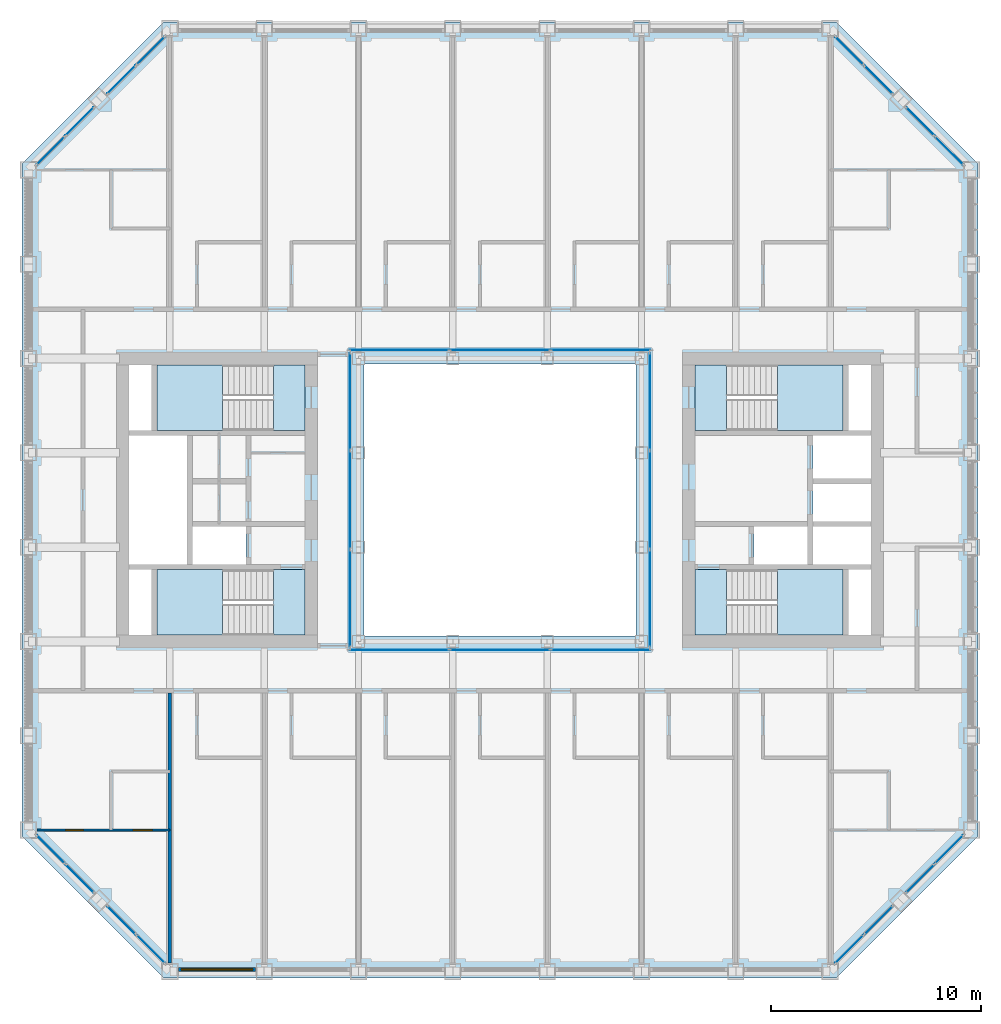
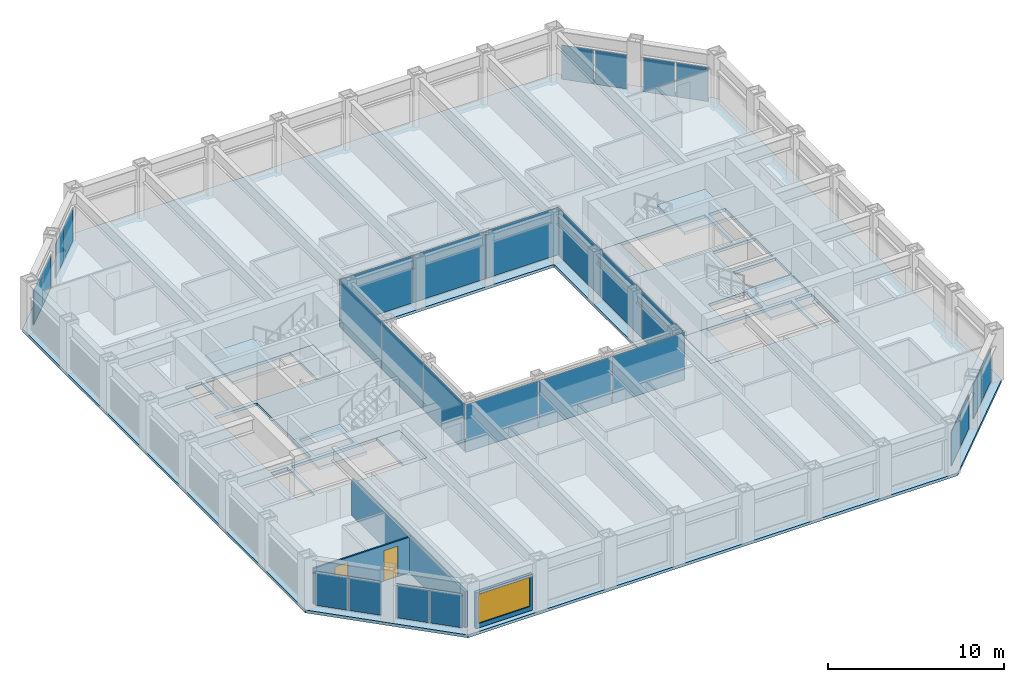
# One storey, part 9 of 18: 28 plates, 9 slabs, 3 walls, 2 doors, 1 window, 3 openings, 16 elements without a shape of their own.
"""IFC4 building model written with IfcOpenShell, lengths in metres."""

import ifcopenshell
import ifcopenshell.guid

model = None  # the IFC model being written
_history = None  # IfcOwnerHistory: only IFC2X3 demands one
_inside = {}  # id of a spatial element -> (the spatial element, [elements in it])
_under = {}  # id of a project, library or spatial element -> (it, [spatial elements below it])
_declared = {}  # id of a project -> (the project, [libraries it declares])
_typed = {}  # id of a type object -> (the type object, [elements of that type])
_made_of = {}  # id of a material, layer set ... -> (it, [elements and type objects made of it])


def new_model(schema):
    """Start an empty IFC model of exactly this schema.

    Asked for "IFC4X3", IfcOpenShell would pick the latest addendum, in which some entities
    have other attributes; the version numbers below select the first issue.
    IFC2X3 requires an IfcOwnerHistory on every rooted entity: one is made here for all.
    """
    global model, _history
    if schema == "IFC4X3":
        model = ifcopenshell.file(schema_version=(4, 3, 0, 0))
    else:
        model = ifcopenshell.file(schema=schema)
    _inside.clear()
    _under.clear()
    _declared.clear()
    _typed.clear()
    _made_of.clear()
    _history = None
    if model.schema == "IFC2X3":
        org = make("IfcOrganization", Name="unknown")
        user = make(
            "IfcPersonAndOrganization",
            ThePerson=make("IfcPerson", FamilyName="unknown"),
            TheOrganization=org,
        )
        app = make(
            "IfcApplication",
            ApplicationDeveloper=org,
            Version="unknown",
            ApplicationFullName="unknown",
            ApplicationIdentifier="unknown",
        )
        _history = make(
            "IfcOwnerHistory",
            OwningUser=user,
            OwningApplication=app,
            ChangeAction="ADDED",
            CreationDate=0,
        )
    return model


def make(cls, **values):
    """One entity of the class cls with the attributes given. An attribute that is None is left unset."""
    return model.create_entity(
        cls, **{name: value for name, value in values.items() if value is not None}
    )


def rooted(cls, **values):
    """An entity with a GlobalId (a new one), such as an element, a storey or a relation."""
    return make(cls, GlobalId=ifcopenshell.guid.new(), OwnerHistory=_history, **values)


def si_unit(unit_type, name, prefix=None):
    """IfcSIUnit, for example si_unit("LENGTHUNIT", "METRE", prefix="MILLI")."""
    return make("IfcSIUnit", UnitType=unit_type, Prefix=prefix, Name=name)


def assignment(units):
    """IfcUnitAssignment: the units of a project."""
    return None if units is None else make("IfcUnitAssignment", Units=units)


def point(xyz):
    """IfcCartesianPoint."""
    return None if xyz is None else make("IfcCartesianPoint", Coordinates=xyz)


def direction(xyz):
    """IfcDirection."""
    return None if xyz is None else make("IfcDirection", DirectionRatios=xyz)


def frame(location, z_axis=None, x_axis=None):
    """IfcAxis2Placement3D, a coordinate frame: its origin and axes. An axis left out is left unset."""
    return make(
        "IfcAxis2Placement3D",
        Location=point(location),
        Axis=direction(z_axis),
        RefDirection=direction(x_axis),
    )


def frame_2d(location, x_axis=None):
    """IfcAxis2Placement2D, a coordinate frame in the plane: its origin and x axis."""
    return make(
        "IfcAxis2Placement2D", Location=point(location), RefDirection=direction(x_axis)
    )


def origin():
    """The frame at (0, 0, 0) with its axes left unset."""
    return frame((0.0, 0.0, 0.0))


def origin_2d():
    """The frame at (0, 0) in the plane with its x axis left unset."""
    return frame_2d((0.0, 0.0))


def place(relative_to, where):
    """IfcLocalPlacement: puts the frame where relative to a parent placement (None: the world)."""
    return make(
        "IfcLocalPlacement", PlacementRelTo=relative_to, RelativePlacement=where
    )


def context(
    kind, dimensions, precision=None, world=None, true_north=None, identifier=None
):
    """IfcGeometricRepresentationContext, for example the 3D "Model" context."""
    return make(
        "IfcGeometricRepresentationContext",
        ContextIdentifier=identifier,
        ContextType=kind,
        CoordinateSpaceDimension=dimensions,
        Precision=precision,
        WorldCoordinateSystem=world,
        TrueNorth=true_north,
    )


def subcontext(parent, identifier, kind, view, scale=None):
    """IfcGeometricRepresentationSubContext, for example "Body" below "Model"."""
    return make(
        "IfcGeometricRepresentationSubContext",
        ContextIdentifier=identifier,
        ContextType=kind,
        ParentContext=parent,
        TargetScale=scale,
        TargetView=view,
    )


def project(units=None, contexts=None):
    """IfcProject with its units and contexts."""
    return rooted(
        "IfcProject",
        Name="project",
        RepresentationContexts=contexts,
        UnitsInContext=assignment(units),
    )


def spatial(cls, under=None, at=None, **own):
    """A site, building, storey or space (cls), placed at a placement, below another one or the project."""
    s = rooted(cls, ObjectPlacement=at, **own)
    if under is not None:
        _under.setdefault(under.id(), (under, []))[1].append(s)
    return s


def polyline(points):
    """IfcPolyline through the points."""
    return make("IfcPolyline", Points=[point(p) for p in points])


def profile(cls, at=None, kind="AREA", **sizes):
    """A parametric profile (cls). Its sizes go by their IFC names, for example OverallWidth=200.0."""
    return make(cls, ProfileType=kind, Position=at, **sizes)


def rectangle(**sizes):
    """IfcRectangleProfileDef."""
    return profile("IfcRectangleProfileDef", **sizes)


def outline(outer, holes=None, kind="AREA"):
    """IfcArbitraryClosedProfileDef: a profile drawn as a closed curve; with holes, ...WithVoids."""
    if holes is None:
        return make("IfcArbitraryClosedProfileDef", ProfileType=kind, OuterCurve=outer)
    return make(
        "IfcArbitraryProfileDefWithVoids",
        ProfileType=kind,
        OuterCurve=outer,
        InnerCurves=holes,
    )


def extrude(swept, where, along, depth):
    """IfcExtrudedAreaSolid: the profile swept, set in the frame where, extruded along a direction by depth."""
    return make(
        "IfcExtrudedAreaSolid",
        SweptArea=swept,
        Position=where,
        ExtrudedDirection=direction(along),
        Depth=depth,
    )


def shape(context_of_items, identifier, shape_type, items):
    """IfcShapeRepresentation: the items that make up one representation, for example the "Body"."""
    return make(
        "IfcShapeRepresentation",
        ContextOfItems=context_of_items,
        RepresentationIdentifier=identifier,
        RepresentationType=shape_type,
        Items=items,
    )


def material(Name=None, Category=None):
    """IfcMaterial."""
    return make("IfcMaterial", Name=Name, Category=Category)


def layer(
    of_material, thickness, ventilated=None, Name=None, Category=None, Priority=None
):
    """IfcMaterialLayer: one layer of a wall or slab, of a material (None: an air gap)."""
    return make(
        "IfcMaterialLayer",
        Material=of_material,
        LayerThickness=thickness,
        IsVentilated=ventilated,
        Name=Name,
        Category=Category,
        Priority=Priority,
    )


def layer_set(layers, Name=None):
    """IfcMaterialLayerSet."""
    return make("IfcMaterialLayerSet", MaterialLayers=layers, LayerSetName=Name)


def made_of(thing, what):
    """Note that an element or type object is made of a material, layer set ...; save() writes the relation."""
    if what is not None:
        _made_of.setdefault(what.id(), (what, []))[1].append(thing)
    return thing


def type_object(cls, material=None, **own):
    """A type object (cls), such as IfcWallType, which elements share."""
    return made_of(rooted(cls, **own), material)


def element(
    cls,
    number,
    at=None,
    inside=None,
    cuts=None,
    type_object=None,
    material=None,
    context=None,
    identifier="Body",
    shape_type=None,
    held_by="IfcProductDefinitionShape",
    body=None,
    shapes=None,
    **own,
):
    """One element of the class cls, such as IfcWall. Its Tag is "e" and its number.

    at: its placement. inside: the storey or other place that contains it. cuts: it is an
    opening in that element (IfcRelVoidsElement). A single representation is given by context,
    identifier, shape_type and body (its items); several are given by shapes. held_by: the class
    of the entity that holds the representations. save() writes the other relations.
    """
    e = rooted(cls, Tag="e%d" % number, ObjectPlacement=at, **own)
    if body is not None:
        shapes = [shape(context, identifier, shape_type, body)]
    if shapes is not None:
        e.Representation = make(held_by, Representations=shapes)
    if inside is not None:
        _inside.setdefault(inside.id(), (inside, []))[1].append(e)
    if cuts is not None:
        rooted(
            "IfcRelVoidsElement", RelatingBuildingElement=cuts, RelatedOpeningElement=e
        )
    if type_object is not None:
        _typed.setdefault(type_object.id(), (type_object, []))[1].append(e)
    return made_of(e, material)


def fill(opening, filler):
    """IfcRelFillsElement: the door or window that sits in an opening."""
    return rooted(
        "IfcRelFillsElement",
        RelatingOpeningElement=opening,
        RelatedBuildingElement=filler,
    )


def aggregate(whole, parts):
    """IfcRelAggregates: a whole, such as a stair, and the parts it consists of."""
    return rooted("IfcRelAggregates", RelatingObject=whole, RelatedObjects=parts)


def save(model, path):
    """Write the relations noted so far, then the file.

    IfcRelAggregates (storeys below a building ...), IfcRelContainedInSpatialStructure (elements
    in a storey), IfcRelDefinesByType, IfcRelAssociatesMaterial and IfcRelDeclares: one each for
    every whole, place, type object, material and project.
    """
    for whole, parts in _under.values():
        aggregate(whole, parts)
    for where, things in _inside.values():
        rooted(
            "IfcRelContainedInSpatialStructure",
            RelatedElements=things,
            RelatingStructure=where,
        )
    for kind, things in _typed.values():
        rooted("IfcRelDefinesByType", RelatedObjects=things, RelatingType=kind)
    for what, things in _made_of.values():
        rooted("IfcRelAssociatesMaterial", RelatedObjects=things, RelatingMaterial=what)
    for by, libraries in _declared.values():
        rooted("IfcRelDeclares", RelatingContext=by, RelatedDefinitions=libraries)
    model.write(path)


model = new_model("IFC4")

# Units and contexts
model_context = context("Model", 3, precision=1e-05, world=origin(), true_north=direction((0.0, 1.0)))
body_context = subcontext(model_context, "Body", "Model", "MODEL_VIEW")
ifc_project = project(units=[si_unit("LENGTHUNIT", "METRE"), si_unit("AREAUNIT", "SQUARE_METRE"), si_unit("VOLUMEUNIT", "CUBIC_METRE"), si_unit("PLANEANGLEUNIT", "RADIAN"), si_unit("MASSUNIT", "GRAM", prefix="KILO")], contexts=[model_context])

# Site, building, storey
site_placement = place(None, origin())
site = spatial("IfcSite", under=ifc_project, at=site_placement, CompositionType="ELEMENT")
building_placement = place(site_placement, origin())
building = spatial("IfcBuilding", under=site, at=building_placement, Name="Msasa Ring Tower", CompositionType="ELEMENT")
storey_placement = place(building_placement, frame((0.0, 0.0, 122.0)))
storey = spatial("IfcBuildingStorey", under=building, at=storey_placement, Name="L31", CompositionType="ELEMENT", Elevation=122.0)

# Curtain wall, plates
ifc_material_1 = material(Name="Aluminium curtain wall with clear glass", Category="aluminium")
curtain_wall_type_1 = type_object("IfcCurtainWallType", Name="CW-C CHAMFER CORNER CURTAIN WALL", PredefinedType="NOTDEFINED", material=ifc_material_1)
curtain_wall_1_placement = place(storey_placement, origin())
curtain_wall_1 = element("IfcCurtainWall", 1, at=curtain_wall_1_placement, inside=storey, type_object=curtain_wall_type_1, Name="Chamfer corner curtain wall SE L31", PredefinedType="NOTDEFINED")
ifc_material_2 = material(Name="Clear laminated insulating glass unit", Category="glass")
ifc_layer_1 = layer(ifc_material_2, 0.031982421875)
ifc_layer_set_1 = layer_set([ifc_layer_1], Name="CW-C GLASS PANEL 32")
plate_type_1 = type_object("IfcPlateType", Name="CW-C GLASS PANEL 32", PredefinedType="CURTAIN_PANEL", material=ifc_layer_set_1)
plate_1_placement = place(storey_placement, frame((16.677734375, -21.430908203125, 0.06494140625), z_axis=(0.0, 0.0, 1.0), x_axis=(0.707106781187, 0.707106781187, 0.0)))
plate_1 = element("IfcPlate", 2, at=plate_1_placement, type_object=plate_type_1, Name="CW-C panel 1.1", PredefinedType="CURTAIN_PANEL", context=body_context, shape_type="SweptSolid", body=[
    extrude(rectangle(XDim=1.884033203125, YDim=0.031982421875, at=origin_2d()), origin(), (0.0, 0.0, 1.0), 2.34912109375),
])
plate_2_placement = place(storey_placement, frame((18.055908203125, -20.052734375, 0.06494140625), z_axis=(0.0, 0.0, 1.0), x_axis=(0.707106781187, 0.707106781187, 0.0)))
plate_2 = element("IfcPlate", 3, at=plate_2_placement, type_object=plate_type_1, Name="CW-C panel 2.1", PredefinedType="CURTAIN_PANEL", context=body_context, shape_type="SweptSolid", body=[
    extrude(rectangle(XDim=1.884033203125, YDim=0.031982421875, at=origin_2d()), origin(), (0.0, 0.0, 1.0), 2.34912109375),
])
aggregate(curtain_wall_1, [plate_1, plate_2])

curtain_wall_2_placement = place(storey_placement, origin())
curtain_wall_2 = element("IfcCurtainWall", 4, at=curtain_wall_2_placement, inside=storey, type_object=curtain_wall_type_1, Name="Chamfer corner curtain wall SE L31", PredefinedType="NOTDEFINED")
plate_3_placement = place(storey_placement, frame((20.052734375, -18.055908203125, 0.06494140625), z_axis=(0.0, 0.0, 1.0), x_axis=(0.707106781187, 0.707106781187, 0.0)))
plate_3 = element("IfcPlate", 5, at=plate_3_placement, type_object=plate_type_1, Name="CW-C panel 1.1", PredefinedType="CURTAIN_PANEL", context=body_context, shape_type="SweptSolid", body=[
    extrude(rectangle(XDim=1.884033203125, YDim=0.031982421875, at=origin_2d()), origin(), (0.0, 0.0, 1.0), 2.34912109375),
])
plate_4_placement = place(storey_placement, frame((21.430908203125, -16.677734375, 0.06494140625), z_axis=(0.0, 0.0, 1.0), x_axis=(0.707106781187, 0.707106781187, 0.0)))
plate_4 = element("IfcPlate", 6, at=plate_4_placement, type_object=plate_type_1, Name="CW-C panel 2.1", PredefinedType="CURTAIN_PANEL", context=body_context, shape_type="SweptSolid", body=[
    extrude(rectangle(XDim=1.884033203125, YDim=0.031982421875, at=origin_2d()), origin(), (0.0, 0.0, 1.0), 2.34912109375),
])
aggregate(curtain_wall_2, [plate_3, plate_4])

curtain_wall_3_placement = place(storey_placement, origin())
curtain_wall_3 = element("IfcCurtainWall", 7, at=curtain_wall_3_placement, inside=storey, type_object=curtain_wall_type_1, Name="Chamfer corner curtain wall NE L31", PredefinedType="NOTDEFINED")
plate_5_placement = place(storey_placement, frame((18.055908203125, 20.052734375, 0.06494140625), z_axis=(0.0, 0.0, 1.0), x_axis=(-0.707106781187, 0.707106781187, 0.0)))
plate_5 = element("IfcPlate", 8, at=plate_5_placement, type_object=plate_type_1, Name="CW-C panel 1.1", PredefinedType="CURTAIN_PANEL", context=body_context, shape_type="SweptSolid", body=[
    extrude(rectangle(XDim=1.884033203125, YDim=0.031982421875, at=origin_2d()), origin(), (0.0, 0.0, 1.0), 2.34912109375),
])
plate_6_placement = place(storey_placement, frame((16.677734375, 21.430908203125, 0.06494140625), z_axis=(0.0, 0.0, 1.0), x_axis=(-0.707106781187, 0.707106781187, 0.0)))
plate_6 = element("IfcPlate", 9, at=plate_6_placement, type_object=plate_type_1, Name="CW-C panel 2.1", PredefinedType="CURTAIN_PANEL", context=body_context, shape_type="SweptSolid", body=[
    extrude(rectangle(XDim=1.884033203125, YDim=0.031982421875, at=origin_2d()), origin(), (0.0, 0.0, 1.0), 2.34912109375),
])
aggregate(curtain_wall_3, [plate_5, plate_6])

curtain_wall_4_placement = place(storey_placement, origin())
curtain_wall_4 = element("IfcCurtainWall", 10, at=curtain_wall_4_placement, inside=storey, type_object=curtain_wall_type_1, Name="Chamfer corner curtain wall NE L31", PredefinedType="NOTDEFINED")
plate_7_placement = place(storey_placement, frame((21.430908203125, 16.677734375, 0.06494140625), z_axis=(0.0, 0.0, 1.0), x_axis=(-0.707106781187, 0.707106781187, 0.0)))
plate_7 = element("IfcPlate", 11, at=plate_7_placement, type_object=plate_type_1, Name="CW-C panel 1.1", PredefinedType="CURTAIN_PANEL", context=body_context, shape_type="SweptSolid", body=[
    extrude(rectangle(XDim=1.884033203125, YDim=0.031982421875, at=origin_2d()), origin(), (0.0, 0.0, 1.0), 2.34912109375),
])
plate_8_placement = place(storey_placement, frame((20.052734375, 18.055908203125, 0.06494140625), z_axis=(0.0, 0.0, 1.0), x_axis=(-0.707106781187, 0.707106781187, 0.0)))
plate_8 = element("IfcPlate", 12, at=plate_8_placement, type_object=plate_type_1, Name="CW-C panel 2.1", PredefinedType="CURTAIN_PANEL", context=body_context, shape_type="SweptSolid", body=[
    extrude(rectangle(XDim=1.884033203125, YDim=0.031982421875, at=origin_2d()), origin(), (0.0, 0.0, 1.0), 2.34912109375),
])
aggregate(curtain_wall_4, [plate_7, plate_8])

curtain_wall_5_placement = place(storey_placement, origin())
curtain_wall_5 = element("IfcCurtainWall", 13, at=curtain_wall_5_placement, inside=storey, type_object=curtain_wall_type_1, Name="Chamfer corner curtain wall NW L31", PredefinedType="NOTDEFINED")
plate_9_placement = place(storey_placement, frame((-20.052734375, 18.055908203125, 0.06494140625), z_axis=(0.0, 0.0, 1.0), x_axis=(-0.707106781187, -0.707106781187, 0.0)))
plate_9 = element("IfcPlate", 14, at=plate_9_placement, type_object=plate_type_1, Name="CW-C panel 1.1", PredefinedType="CURTAIN_PANEL", context=body_context, shape_type="SweptSolid", body=[
    extrude(rectangle(XDim=1.884033203125, YDim=0.031982421875, at=origin_2d()), origin(), (0.0, 0.0, 1.0), 2.34912109375),
])
plate_10_placement = place(storey_placement, frame((-21.430908203125, 16.677734375, 0.06494140625), z_axis=(0.0, 0.0, 1.0), x_axis=(-0.707106781187, -0.707106781187, 0.0)))
plate_10 = element("IfcPlate", 15, at=plate_10_placement, type_object=plate_type_1, Name="CW-C panel 2.1", PredefinedType="CURTAIN_PANEL", context=body_context, shape_type="SweptSolid", body=[
    extrude(rectangle(XDim=1.884033203125, YDim=0.031982421875, at=origin_2d()), origin(), (0.0, 0.0, 1.0), 2.34912109375),
])
aggregate(curtain_wall_5, [plate_9, plate_10])

curtain_wall_6_placement = place(storey_placement, origin())
curtain_wall_6 = element("IfcCurtainWall", 16, at=curtain_wall_6_placement, inside=storey, type_object=curtain_wall_type_1, Name="Chamfer corner curtain wall NW L31", PredefinedType="NOTDEFINED")
plate_11_placement = place(storey_placement, frame((-16.677734375, 21.430908203125, 0.06494140625), z_axis=(0.0, 0.0, 1.0), x_axis=(-0.707106781187, -0.707106781187, 0.0)))
plate_11 = element("IfcPlate", 17, at=plate_11_placement, type_object=plate_type_1, Name="CW-C panel 1.1", PredefinedType="CURTAIN_PANEL", context=body_context, shape_type="SweptSolid", body=[
    extrude(rectangle(XDim=1.884033203125, YDim=0.031982421875, at=origin_2d()), origin(), (0.0, 0.0, 1.0), 2.34912109375),
])
plate_12_placement = place(storey_placement, frame((-18.055908203125, 20.052734375, 0.06494140625), z_axis=(0.0, 0.0, 1.0), x_axis=(-0.707106781187, -0.707106781187, 0.0)))
plate_12 = element("IfcPlate", 18, at=plate_12_placement, type_object=plate_type_1, Name="CW-C panel 2.1", PredefinedType="CURTAIN_PANEL", context=body_context, shape_type="SweptSolid", body=[
    extrude(rectangle(XDim=1.884033203125, YDim=0.031982421875, at=origin_2d()), origin(), (0.0, 0.0, 1.0), 2.34912109375),
])
aggregate(curtain_wall_6, [plate_11, plate_12])

curtain_wall_7_placement = place(storey_placement, origin())
curtain_wall_7 = element("IfcCurtainWall", 19, at=curtain_wall_7_placement, inside=storey, type_object=curtain_wall_type_1, Name="Chamfer corner curtain wall SW L31", PredefinedType="NOTDEFINED")
plate_13_placement = place(storey_placement, frame((-21.430908203125, -16.677734375, 0.06494140625), z_axis=(0.0, 0.0, 1.0), x_axis=(0.707106781187, -0.707106781187, 0.0)))
plate_13 = element("IfcPlate", 20, at=plate_13_placement, type_object=plate_type_1, Name="CW-C panel 1.1", PredefinedType="CURTAIN_PANEL", context=body_context, shape_type="SweptSolid", body=[
    extrude(rectangle(XDim=1.884033203125, YDim=0.031982421875, at=origin_2d()), origin(), (0.0, 0.0, 1.0), 2.34912109375),
])
plate_14_placement = place(storey_placement, frame((-20.052734375, -18.055908203125, 0.06494140625), z_axis=(0.0, 0.0, 1.0), x_axis=(0.707106781187, -0.707106781187, 0.0)))
plate_14 = element("IfcPlate", 21, at=plate_14_placement, type_object=plate_type_1, Name="CW-C panel 2.1", PredefinedType="CURTAIN_PANEL", context=body_context, shape_type="SweptSolid", body=[
    extrude(rectangle(XDim=1.884033203125, YDim=0.031982421875, at=origin_2d()), origin(), (0.0, 0.0, 1.0), 2.34912109375),
])
aggregate(curtain_wall_7, [plate_13, plate_14])

curtain_wall_8_placement = place(storey_placement, origin())
curtain_wall_8 = element("IfcCurtainWall", 22, at=curtain_wall_8_placement, inside=storey, type_object=curtain_wall_type_1, Name="Chamfer corner curtain wall SW L31", PredefinedType="NOTDEFINED")
plate_15_placement = place(storey_placement, frame((-18.055908203125, -20.052734375, 0.06494140625), z_axis=(0.0, 0.0, 1.0), x_axis=(0.707106781187, -0.707106781187, 0.0)))
plate_15 = element("IfcPlate", 23, at=plate_15_placement, type_object=plate_type_1, Name="CW-C panel 1.1", PredefinedType="CURTAIN_PANEL", context=body_context, shape_type="SweptSolid", body=[
    extrude(rectangle(XDim=1.884033203125, YDim=0.031982421875, at=origin_2d()), origin(), (0.0, 0.0, 1.0), 2.34912109375),
])
plate_16_placement = place(storey_placement, frame((-16.677734375, -21.430908203125, 0.06494140625), z_axis=(0.0, 0.0, 1.0), x_axis=(0.707106781187, -0.707106781187, 0.0)))
plate_16 = element("IfcPlate", 24, at=plate_16_placement, type_object=plate_type_1, Name="CW-C panel 2.1", PredefinedType="CURTAIN_PANEL", context=body_context, shape_type="SweptSolid", body=[
    extrude(rectangle(XDim=1.884033203125, YDim=0.031982421875, at=origin_2d()), origin(), (0.0, 0.0, 1.0), 2.34912109375),
])
aggregate(curtain_wall_8, [plate_15, plate_16])

ifc_material_3 = material(Name="Aluminium curtain wall with clear glass", Category="aluminium")
curtain_wall_type_2 = type_object("IfcCurtainWallType", Name="CW-W LIGHT WELL CURTAIN WALL", PredefinedType="NOTDEFINED", material=ifc_material_3)
curtain_wall_9_placement = place(storey_placement, origin())
curtain_wall_9 = element("IfcCurtainWall", 25, at=curtain_wall_9_placement, inside=storey, type_object=curtain_wall_type_2, Name="Light well curtain wall N L31", PredefinedType="NOTDEFINED")
ifc_material_4 = material(Name="Clear laminated insulating glass unit", Category="glass")
ifc_layer_2 = layer(ifc_material_4, 0.028076171875)
ifc_layer_set_2 = layer_set([ifc_layer_2], Name="CW-W GLASS PANEL 28")
plate_type_2 = type_object("IfcPlateType", Name="CW-W GLASS PANEL 28", PredefinedType="CURTAIN_PANEL", material=ifc_layer_set_2)
plate_17_placement = place(storey_placement, frame((-4.804931640625, 7.14990234375, 0.06005859375), z_axis=(0.0, 0.0, 1.0), x_axis=(1.0, 0.0, 0.0)))
plate_17 = element("IfcPlate", 26, at=plate_17_placement, type_object=plate_type_2, Name="CW-W panel 1.1", PredefinedType="CURTAIN_PANEL", context=body_context, shape_type="SweptSolid", body=[
    extrude(rectangle(XDim=4.72998046875, YDim=0.028076171875, at=origin_2d()), origin(), (0.0, 0.0, 1.0), 3.280029296875),
])
plate_18_placement = place(storey_placement, frame((0.0, 7.14990234375, 0.06005859375), z_axis=(0.0, 0.0, 1.0), x_axis=(1.0, 0.0, 0.0)))
plate_18 = element("IfcPlate", 27, at=plate_18_placement, type_object=plate_type_2, Name="CW-W panel 2.1", PredefinedType="CURTAIN_PANEL", context=body_context, shape_type="SweptSolid", body=[
    extrude(rectangle(XDim=4.760009765625, YDim=0.028076171875, at=origin_2d()), origin(), (0.0, 0.0, 1.0), 3.280029296875),
])
plate_19_placement = place(storey_placement, frame((4.804931640625, 7.14990234375, 0.06005859375), z_axis=(0.0, 0.0, 1.0), x_axis=(1.0, 0.0, 0.0)))
plate_19 = element("IfcPlate", 28, at=plate_19_placement, type_object=plate_type_2, Name="CW-W panel 3.1", PredefinedType="CURTAIN_PANEL", context=body_context, shape_type="SweptSolid", body=[
    extrude(rectangle(XDim=4.72998046875, YDim=0.028076171875, at=origin_2d()), origin(), (0.0, 0.0, 1.0), 3.280029296875),
])
aggregate(curtain_wall_9, [plate_17, plate_18, plate_19])

curtain_wall_10_placement = place(storey_placement, origin())
curtain_wall_10 = element("IfcCurtainWall", 29, at=curtain_wall_10_placement, inside=storey, type_object=curtain_wall_type_2, Name="Light well curtain wall S L31", PredefinedType="NOTDEFINED")
plate_20_placement = place(storey_placement, frame((-4.804931640625, -7.14990234375, 0.06005859375), z_axis=(0.0, 0.0, 1.0), x_axis=(1.0, 0.0, 0.0)))
plate_20 = element("IfcPlate", 30, at=plate_20_placement, type_object=plate_type_2, Name="CW-W panel 1.1", PredefinedType="CURTAIN_PANEL", context=body_context, shape_type="SweptSolid", body=[
    extrude(rectangle(XDim=4.72998046875, YDim=0.028076171875, at=origin_2d()), origin(), (0.0, 0.0, 1.0), 3.280029296875),
])
plate_21_placement = place(storey_placement, frame((0.0, -7.14990234375, 0.06005859375), z_axis=(0.0, 0.0, 1.0), x_axis=(1.0, 0.0, 0.0)))
plate_21 = element("IfcPlate", 31, at=plate_21_placement, type_object=plate_type_2, Name="CW-W panel 2.1", PredefinedType="CURTAIN_PANEL", context=body_context, shape_type="SweptSolid", body=[
    extrude(rectangle(XDim=4.760009765625, YDim=0.028076171875, at=origin_2d()), origin(), (0.0, 0.0, 1.0), 3.280029296875),
])
plate_22_placement = place(storey_placement, frame((4.804931640625, -7.14990234375, 0.06005859375), z_axis=(0.0, 0.0, 1.0), x_axis=(1.0, 0.0, 0.0)))
plate_22 = element("IfcPlate", 32, at=plate_22_placement, type_object=plate_type_2, Name="CW-W panel 3.1", PredefinedType="CURTAIN_PANEL", context=body_context, shape_type="SweptSolid", body=[
    extrude(rectangle(XDim=4.72998046875, YDim=0.028076171875, at=origin_2d()), origin(), (0.0, 0.0, 1.0), 3.280029296875),
])
aggregate(curtain_wall_10, [plate_20, plate_21, plate_22])

curtain_wall_11_placement = place(storey_placement, origin())
curtain_wall_11 = element("IfcCurtainWall", 33, at=curtain_wall_11_placement, inside=storey, type_object=curtain_wall_type_2, Name="Light well curtain wall E L31", PredefinedType="NOTDEFINED")
plate_23_placement = place(storey_placement, frame((7.14990234375, -4.6982421875, 0.06005859375), z_axis=(0.0, 0.0, 1.0), x_axis=(0.0, 1.0, 0.0)))
plate_23 = element("IfcPlate", 34, at=plate_23_placement, type_object=plate_type_2, Name="CW-W panel 1.1", PredefinedType="CURTAIN_PANEL", context=body_context, shape_type="SweptSolid", body=[
    extrude(rectangle(XDim=4.623291015625, YDim=0.028076171875, at=origin_2d()), origin(), (0.0, 0.0, 1.0), 3.280029296875),
])
plate_24_placement = place(storey_placement, frame((7.14990234375, 0.0, 0.06005859375), z_axis=(0.0, 0.0, 1.0), x_axis=(0.0, 1.0, 0.0)))
plate_24 = element("IfcPlate", 35, at=plate_24_placement, type_object=plate_type_2, Name="CW-W panel 2.1", PredefinedType="CURTAIN_PANEL", context=body_context, shape_type="SweptSolid", body=[
    extrude(rectangle(XDim=4.6533203125, YDim=0.028076171875, at=origin_2d()), origin(), (0.0, 0.0, 1.0), 3.280029296875),
])
plate_25_placement = place(storey_placement, frame((7.14990234375, 4.6982421875, 0.06005859375), z_axis=(0.0, 0.0, 1.0), x_axis=(0.0, 1.0, 0.0)))
plate_25 = element("IfcPlate", 36, at=plate_25_placement, type_object=plate_type_2, Name="CW-W panel 3.1", PredefinedType="CURTAIN_PANEL", context=body_context, shape_type="SweptSolid", body=[
    extrude(rectangle(XDim=4.623291015625, YDim=0.028076171875, at=origin_2d()), origin(), (0.0, 0.0, 1.0), 3.280029296875),
])
aggregate(curtain_wall_11, [plate_23, plate_24, plate_25])

curtain_wall_12_placement = place(storey_placement, origin())
curtain_wall_12 = element("IfcCurtainWall", 37, at=curtain_wall_12_placement, inside=storey, type_object=curtain_wall_type_2, Name="Light well curtain wall W L31", PredefinedType="NOTDEFINED")
plate_26_placement = place(storey_placement, frame((-7.14990234375, -4.6982421875, 0.06005859375), z_axis=(0.0, 0.0, 1.0), x_axis=(0.0, 1.0, 0.0)))
plate_26 = element("IfcPlate", 38, at=plate_26_placement, type_object=plate_type_2, Name="CW-W panel 1.1", PredefinedType="CURTAIN_PANEL", context=body_context, shape_type="SweptSolid", body=[
    extrude(rectangle(XDim=4.623291015625, YDim=0.028076171875, at=origin_2d()), origin(), (0.0, 0.0, 1.0), 3.280029296875),
])
plate_27_placement = place(storey_placement, frame((-7.14990234375, 0.0, 0.06005859375), z_axis=(0.0, 0.0, 1.0), x_axis=(0.0, 1.0, 0.0)))
plate_27 = element("IfcPlate", 39, at=plate_27_placement, type_object=plate_type_2, Name="CW-W panel 2.1", PredefinedType="CURTAIN_PANEL", context=body_context, shape_type="SweptSolid", body=[
    extrude(rectangle(XDim=4.6533203125, YDim=0.028076171875, at=origin_2d()), origin(), (0.0, 0.0, 1.0), 3.280029296875),
])
plate_28_placement = place(storey_placement, frame((-7.14990234375, 4.6982421875, 0.06005859375), z_axis=(0.0, 0.0, 1.0), x_axis=(0.0, 1.0, 0.0)))
plate_28 = element("IfcPlate", 40, at=plate_28_placement, type_object=plate_type_2, Name="CW-W panel 3.1", PredefinedType="CURTAIN_PANEL", context=body_context, shape_type="SweptSolid", body=[
    extrude(rectangle(XDim=4.623291015625, YDim=0.028076171875, at=origin_2d()), origin(), (0.0, 0.0, 1.0), 3.280029296875),
])
aggregate(curtain_wall_12, [plate_26, plate_27, plate_28])

# Stair, slabs
ifc_material_5 = material(Name="Concrete C40/50", Category="concrete")
stair_type = type_object("IfcStairType", Name="STC CORE STAIR 20 RISERS 180", PredefinedType="HALF_TURN_STAIR", material=ifc_material_5)
stair_1_placement = place(storey_placement, origin())
stair_1 = element("IfcStair", 41, at=stair_1_placement, inside=storey, type_object=stair_type, Name="Core stair SEA L31", PredefinedType="HALF_TURN_STAIR")
ifc_material_6 = material(Name="Concrete C40/50", Category="concrete")
ifc_layer_3 = layer(ifc_material_6, 0.199951171875)
ifc_layer_set_3 = layer_set([ifc_layer_3], Name="LD1 CORE STAIR LANDING 200")
slab_type_1 = type_object("IfcSlabType", Name="LD1 CORE STAIR LANDING 200", PredefinedType="LANDING", material=ifc_layer_set_3)
slab_1_placement = place(storey_placement, frame((0.0, 0.0, -0.199951171875)))
slab_1 = element("IfcSlab", 42, at=slab_1_placement, type_object=slab_type_1, Name="SEA landing 1", PredefinedType="LANDING", context=body_context, shape_type="SweptSolid", body=[
    extrude(outline(polyline([(9.300048828125, -6.449951171875), (10.800048828125, -6.449951171875), (10.800048828125, -3.324951171875), (9.300048828125, -3.324951171875), (9.300048828125, -6.449951171875)])), origin(), (0.0, 0.0, 1.0), 0.199951171875),
])
slab_2_placement = place(storey_placement, frame((0.0, 0.0, 1.60009765625)))
slab_2 = element("IfcSlab", 43, at=slab_2_placement, type_object=slab_type_1, Name="SEA landing 2", PredefinedType="LANDING", context=body_context, shape_type="SweptSolid", body=[
    extrude(outline(polyline([(13.22998046875, -6.449951171875), (16.375, -6.449951171875), (16.375, -3.324951171875), (13.22998046875, -3.324951171875), (13.22998046875, -6.449951171875)])), origin(), (0.0, 0.0, 1.0), 0.199951171875),
])
aggregate(stair_1, [slab_1, slab_2])

stair_2_placement = place(storey_placement, origin())
stair_2 = element("IfcStair", 44, at=stair_2_placement, inside=storey, type_object=stair_type, Name="Core stair SEB L31", PredefinedType="HALF_TURN_STAIR")
slab_3_placement = place(storey_placement, frame((0.0, 0.0, -0.199951171875)))
slab_3 = element("IfcSlab", 45, at=slab_3_placement, type_object=slab_type_1, Name="SEB landing 1", PredefinedType="LANDING", context=body_context, shape_type="SweptSolid", body=[
    extrude(outline(polyline([(9.300048828125, 3.324951171875), (10.800048828125, 3.324951171875), (10.800048828125, 6.449951171875), (9.300048828125, 6.449951171875), (9.300048828125, 3.324951171875)])), origin(), (0.0, 0.0, 1.0), 0.199951171875),
])
slab_4_placement = place(storey_placement, frame((0.0, 0.0, 1.60009765625)))
slab_4 = element("IfcSlab", 46, at=slab_4_placement, type_object=slab_type_1, Name="SEB landing 2", PredefinedType="LANDING", context=body_context, shape_type="SweptSolid", body=[
    extrude(outline(polyline([(13.22998046875, 3.324951171875), (16.375, 3.324951171875), (16.375, 6.449951171875), (13.22998046875, 6.449951171875), (13.22998046875, 3.324951171875)])), origin(), (0.0, 0.0, 1.0), 0.199951171875),
])
aggregate(stair_2, [slab_3, slab_4])

stair_3_placement = place(storey_placement, origin())
stair_3 = element("IfcStair", 47, at=stair_3_placement, inside=storey, type_object=stair_type, Name="Core stair SWA L31", PredefinedType="HALF_TURN_STAIR")
slab_5_placement = place(storey_placement, frame((0.0, 0.0, -0.199951171875)))
slab_5 = element("IfcSlab", 48, at=slab_5_placement, type_object=slab_type_1, Name="SWA landing 1", PredefinedType="LANDING", context=body_context, shape_type="SweptSolid", body=[
    extrude(outline(polyline([(-10.800048828125, -6.449951171875), (-9.300048828125, -6.449951171875), (-9.300048828125, -3.324951171875), (-10.800048828125, -3.324951171875), (-10.800048828125, -6.449951171875)])), origin(), (0.0, 0.0, 1.0), 0.199951171875),
])
slab_6_placement = place(storey_placement, frame((0.0, 0.0, 1.60009765625)))
slab_6 = element("IfcSlab", 49, at=slab_6_placement, type_object=slab_type_1, Name="SWA landing 2", PredefinedType="LANDING", context=body_context, shape_type="SweptSolid", body=[
    extrude(outline(polyline([(-16.375, -6.449951171875), (-13.22998046875, -6.449951171875), (-13.22998046875, -3.324951171875), (-16.375, -3.324951171875), (-16.375, -6.449951171875)])), origin(), (0.0, 0.0, 1.0), 0.199951171875),
])
aggregate(stair_3, [slab_5, slab_6])

stair_4_placement = place(storey_placement, origin())
stair_4 = element("IfcStair", 50, at=stair_4_placement, inside=storey, type_object=stair_type, Name="Core stair SWB L31", PredefinedType="HALF_TURN_STAIR")
slab_7_placement = place(storey_placement, frame((0.0, 0.0, -0.199951171875)))
slab_7 = element("IfcSlab", 51, at=slab_7_placement, type_object=slab_type_1, Name="SWB landing 1", PredefinedType="LANDING", context=body_context, shape_type="SweptSolid", body=[
    extrude(outline(polyline([(-10.800048828125, 3.324951171875), (-9.300048828125, 3.324951171875), (-9.300048828125, 6.449951171875), (-10.800048828125, 6.449951171875), (-10.800048828125, 3.324951171875)])), origin(), (0.0, 0.0, 1.0), 0.199951171875),
])
slab_8_placement = place(storey_placement, frame((0.0, 0.0, 1.60009765625)))
slab_8 = element("IfcSlab", 52, at=slab_8_placement, type_object=slab_type_1, Name="SWB landing 2", PredefinedType="LANDING", context=body_context, shape_type="SweptSolid", body=[
    extrude(outline(polyline([(-16.375, 3.324951171875), (-13.22998046875, 3.324951171875), (-13.22998046875, 6.449951171875), (-16.375, 6.449951171875), (-16.375, 3.324951171875)])), origin(), (0.0, 0.0, 1.0), 0.199951171875),
])
aggregate(stair_4, [slab_7, slab_8])

# Slab
ifc_material_7 = material(Name="Concrete C40/50", Category="concrete")
ifc_layer_4 = layer(ifc_material_7, 0.199951171875)
ifc_layer_set_4 = layer_set([ifc_layer_4], Name="S6 GUEST FLOOR 200")
slab_type_2 = type_object("IfcSlabType", Name="S6 GUEST FLOOR 200", PredefinedType="FLOOR", material=ifc_layer_set_4)
slab_9_placement = place(storey_placement, frame((0.0, 0.0, -0.199951171875)))
element("IfcSlab", 53, at=slab_9_placement, inside=storey, type_object=slab_type_2, Name="Floor slab L31", PredefinedType="FLOOR", context=body_context, shape_type="SweptSolid", body=[
    extrude(outline(polyline([(-16.050048828125, -22.800048828125), (16.050048828125, -22.800048828125), (22.800048828125, -16.050048828125), (22.800048828125, 16.050048828125), (16.050048828125, 22.800048828125), (-16.050048828125, 22.800048828125), (-22.800048828125, 16.050048828125), (-22.800048828125, -16.050048828125), (-16.050048828125, -22.800048828125)]), holes=[polyline([(-6.5, -6.5), (6.5, -6.5), (6.5, 6.5), (-6.5, 6.5), (-6.5, -6.5)]), polyline([(9.300048828125, -6.449951171875), (16.375, -6.449951171875), (16.375, -3.324951171875), (9.300048828125, -3.324951171875), (9.300048828125, -6.449951171875)]), polyline([(9.300048828125, 3.324951171875), (16.375, 3.324951171875), (16.375, 6.449951171875), (9.300048828125, 6.449951171875), (9.300048828125, 3.324951171875)]), polyline([(12.125, -3.074951171875), (14.675048828125, -3.074951171875), (14.675048828125, -1.27490234375), (12.125, -1.27490234375), (12.125, -3.074951171875)]), polyline([(16.625, -6.449951171875), (17.699951171875, -6.449951171875), (17.699951171875, -3.324951171875), (16.625, -3.324951171875), (16.625, -6.449951171875)]), polyline([(16.625, 3.324951171875), (17.699951171875, 3.324951171875), (17.699951171875, 6.449951171875), (16.625, 6.449951171875), (16.625, 3.324951171875)]), polyline([(14.925048828125, -3.074951171875), (17.699951171875, -3.074951171875), (17.699951171875, -1.27490234375), (14.925048828125, -1.27490234375), (14.925048828125, -3.074951171875)]), polyline([(14.925048828125, -1.02490234375), (17.699951171875, -1.02490234375), (17.699951171875, 0.77490234375), (14.925048828125, 0.77490234375), (14.925048828125, -1.02490234375)]), polyline([(14.925048828125, 1.02490234375), (17.699951171875, 1.02490234375), (17.699951171875, 3.074951171875), (14.925048828125, 3.074951171875), (14.925048828125, 1.02490234375)]), polyline([(-16.375, -6.449951171875), (-9.300048828125, -6.449951171875), (-9.300048828125, -3.324951171875), (-16.375, -3.324951171875), (-16.375, -6.449951171875)]), polyline([(-16.375, 3.324951171875), (-9.300048828125, 3.324951171875), (-9.300048828125, 6.449951171875), (-16.375, 6.449951171875), (-16.375, 3.324951171875)]), polyline([(-14.675048828125, -3.074951171875), (-12.125, -3.074951171875), (-12.125, -1.27490234375), (-14.675048828125, -1.27490234375), (-14.675048828125, -3.074951171875)]), polyline([(-17.699951171875, -6.449951171875), (-16.625, -6.449951171875), (-16.625, -3.324951171875), (-17.699951171875, -3.324951171875), (-17.699951171875, -6.449951171875)]), polyline([(-17.699951171875, 3.324951171875), (-16.625, 3.324951171875), (-16.625, 6.449951171875), (-17.699951171875, 6.449951171875), (-17.699951171875, 3.324951171875)]), polyline([(-17.699951171875, -3.074951171875), (-14.925048828125, -3.074951171875), (-14.925048828125, 3.074951171875), (-17.699951171875, 3.074951171875), (-17.699951171875, -3.074951171875)])]), origin(), (0.0, 0.0, 1.0), 0.199951171875),
])

# Wall, opening, window
ifc_material_8 = material(Name="Terracotta rainscreen on blockwork", Category="masonry")
ifc_layer_5 = layer(ifc_material_8, 0.199951171875)
ifc_layer_set_5 = layer_set([ifc_layer_5], Name="FW1 TERRACOTTA-LINED INFILL BAY WALL 200")
wall_type_1 = type_object("IfcWallType", Name="FW1 TERRACOTTA-LINED INFILL BAY WALL 200", PredefinedType="SOLIDWALL", material=ifc_layer_set_5)
wall_1_placement = place(storey_placement, frame((-15.344970703125, -22.39990234375, 0.0), z_axis=(0.0, 0.0, 1.0), x_axis=(1.0, 0.0, 0.0)))
wall_1 = element("IfcWall", 54, at=wall_1_placement, inside=storey, type_object=wall_type_1, Name="Infill bay wall S L31 00", PredefinedType="SOLIDWALL", context=body_context, shape_type="SweptSolid", body=[
    extrude(rectangle(XDim=3.68994140625, YDim=0.199951171875, at=frame_2d((1.844970703125, 0.0))), origin(), (0.0, 0.0, 1.0), 2.47900390625),
])
opening_1_placement = place(wall_1_placement, frame((0.14501953125, 0.0, 0.300048828125)))
opening_1 = element("IfcOpeningElement", 55, at=opening_1_placement, cuts=wall_1, Name="Opening WN2", PredefinedType="OPENING", context=body_context, shape_type="SweptSolid", body=[
    extrude(rectangle(XDim=3.39990234375, YDim=2.029052734375, at=frame_2d((1.699951171875, 1.0146484375))), frame((0.0, 0.10986328125, 0.0), z_axis=(0.0, -1.0, 0.0), x_axis=(1.0, 0.0, 0.0)), (0.0, 0.0, 1.0), 0.219970703125),
])
ifc_material_9 = material(Name="Aluminium frame with clear glass", Category="aluminium")
window_type = type_object("IfcWindowType", Name="WN2 GUEST ROOM WINDOW 3400x2029", PartitioningType="SINGLE_PANEL", PredefinedType="WINDOW", material=ifc_material_9)
window_placement = place(opening_1_placement, origin())
window = element("IfcWindow", 56, at=window_placement, inside=storey, type_object=window_type, Name="Window S L31 00", OverallHeight=2.029052734375, OverallWidth=3.39990234375, PartitioningType="SINGLE_PANEL", PredefinedType="WINDOW", context=body_context, shape_type="SweptSolid", body=[
    extrude(rectangle(XDim=3.39990234375, YDim=2.029052734375, at=frame_2d((1.699951171875, 1.0146484375))), frame((0.0, 0.030029296875, 0.0), z_axis=(0.0, -1.0, 0.0), x_axis=(1.0, 0.0, 0.0)), (0.0, 0.0, 1.0), 0.06005859375),
])
fill(opening_1, window)

# Wall, openings, doors
ifc_material_10 = material(Name="Gypsum board on steel studs", Category="steel")
ifc_layer_6 = layer(ifc_material_10, 0.10009765625)
ifc_layer_set_6 = layer_set([ifc_layer_6], Name="PT2 STUD PARTITION 100")
wall_type_2 = type_object("IfcWallType", Name="PT2 STUD PARTITION 100", PredefinedType="PARTITIONING", material=ifc_layer_set_6)
wall_2_placement = place(storey_placement, frame((-22.10009765625, -15.75, 0.0), z_axis=(0.0, 0.0, 1.0), x_axis=(1.0, 0.0, 0.0)))
wall_2 = element("IfcWall", 57, at=wall_2_placement, inside=storey, type_object=wall_type_2, Name="Partition L31-CSSWX", PredefinedType="PARTITIONING", context=body_context, shape_type="SweptSolid", body=[
    extrude(rectangle(XDim=6.35009765625, YDim=0.10009765625, at=frame_2d((3.175048828125, 0.0))), origin(), (0.0, 0.0, 1.0), 2.473388671875),
])
opening_2_placement = place(wall_2_placement, frame((1.375, 0.0, 0.0)))
opening_2 = element("IfcOpeningElement", 58, at=opening_2_placement, cuts=wall_2, Name="Opening HA-055", PredefinedType="OPENING", context=body_context, shape_type="SweptSolid", body=[
    extrude(rectangle(XDim=0.85009765625, YDim=2.10009765625, at=frame_2d((0.425048828125, 1.050048828125))), frame((0.0, 0.06005859375, 0.0), z_axis=(0.0, -1.0, 0.0), x_axis=(1.0, 0.0, 0.0)), (0.0, 0.0, 1.0), 0.1201171875),
])
opening_3_placement = place(wall_2_placement, frame((4.60009765625, 0.0, 0.0)))
opening_3 = element("IfcOpeningElement", 59, at=opening_3_placement, cuts=wall_2, Name="Opening HA-056", PredefinedType="OPENING", context=body_context, shape_type="SweptSolid", body=[
    extrude(rectangle(XDim=0.89990234375, YDim=2.10009765625, at=frame_2d((0.449951171875, 1.050048828125))), frame((0.0, 0.06005859375, 0.0), z_axis=(0.0, -1.0, 0.0), x_axis=(1.0, 0.0, 0.0)), (0.0, 0.0, 1.0), 0.1201171875),
])
ifc_material_11 = material(Name="Timber door leaf in a steel frame", Category="steel")
door_type_1 = type_object("IfcDoorType", Name="D14 BEDROOM DOOR 850x2100", OperationType="SINGLE_SWING_LEFT", PredefinedType="DOOR", material=ifc_material_11)
door_1_placement = place(opening_2_placement, origin())
door_1 = element("IfcDoor", 60, at=door_1_placement, inside=storey, type_object=door_type_1, Name="Door L31-CSSWR1", OperationType="SINGLE_SWING_LEFT", OverallHeight=2.10009765625, OverallWidth=0.85009765625, PredefinedType="DOOR", context=body_context, shape_type="SweptSolid", body=[
    extrude(rectangle(XDim=0.85009765625, YDim=2.10009765625, at=frame_2d((0.425048828125, 1.050048828125))), frame((0.0, 0.02490234375, 0.0), z_axis=(0.0, -1.0, 0.0), x_axis=(1.0, 0.0, 0.0)), (0.0, 0.0, 1.0), 0.050048828125),
])
fill(opening_2, door_1)
ifc_material_12 = material(Name="Timber door leaf in a steel frame", Category="steel")
door_type_2 = type_object("IfcDoorType", Name="D3 BATHROOM DOOR 900x2100", OperationType="SINGLE_SWING_LEFT", PredefinedType="DOOR", material=ifc_material_12)
door_2_placement = place(opening_3_placement, origin())
door_2 = element("IfcDoor", 61, at=door_2_placement, inside=storey, type_object=door_type_2, Name="Door L31-CSSWB1", OperationType="SINGLE_SWING_RIGHT", OverallHeight=2.10009765625, OverallWidth=0.89990234375, PredefinedType="DOOR", context=body_context, shape_type="SweptSolid", body=[
    extrude(rectangle(XDim=0.89990234375, YDim=2.10009765625, at=frame_2d((0.449951171875, 1.050048828125))), frame((0.0, 0.02490234375, 0.0), z_axis=(0.0, -1.0, 0.0), x_axis=(1.0, 0.0, 0.0)), (0.0, 0.0, 1.0), 0.050048828125),
])
fill(opening_3, door_2)

# Wall
ifc_material_13 = material(Name="Twin steel studs, two layers of acoustic board each face, mineral wool", Category="steel")
ifc_layer_7 = layer(ifc_material_13, 0.175048828125)
ifc_layer_set_7 = layer_set([ifc_layer_7], Name="PT5 GUEST ROOM SEPARATING WALL 175")
wall_type_3 = type_object("IfcWallType", Name="PT5 GUEST ROOM SEPARATING WALL 175", PredefinedType="PARTITIONING", material=ifc_layer_set_7)
wall_3_placement = place(storey_placement, frame((-15.75, -22.10009765625, 0.0), z_axis=(0.0, 0.0, 1.0), x_axis=(0.0, 1.0, 0.0)))
element("IfcWall", 62, at=wall_3_placement, inside=storey, type_object=wall_type_3, Name="Partition L31-PWS-15.75", PredefinedType="PARTITIONING", context=body_context, shape_type="SweptSolid", body=[
    extrude(rectangle(XDim=12.900146484375, YDim=0.175048828125, at=frame_2d((6.4501953125, 0.0))), origin(), (0.0, 0.0, 1.0), 2.473388671875),
])

save(model, "model.ifc")
